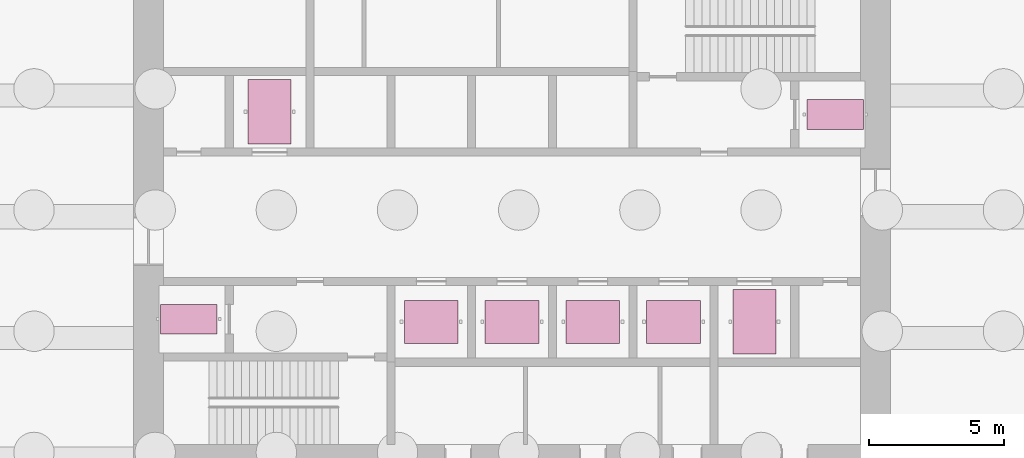
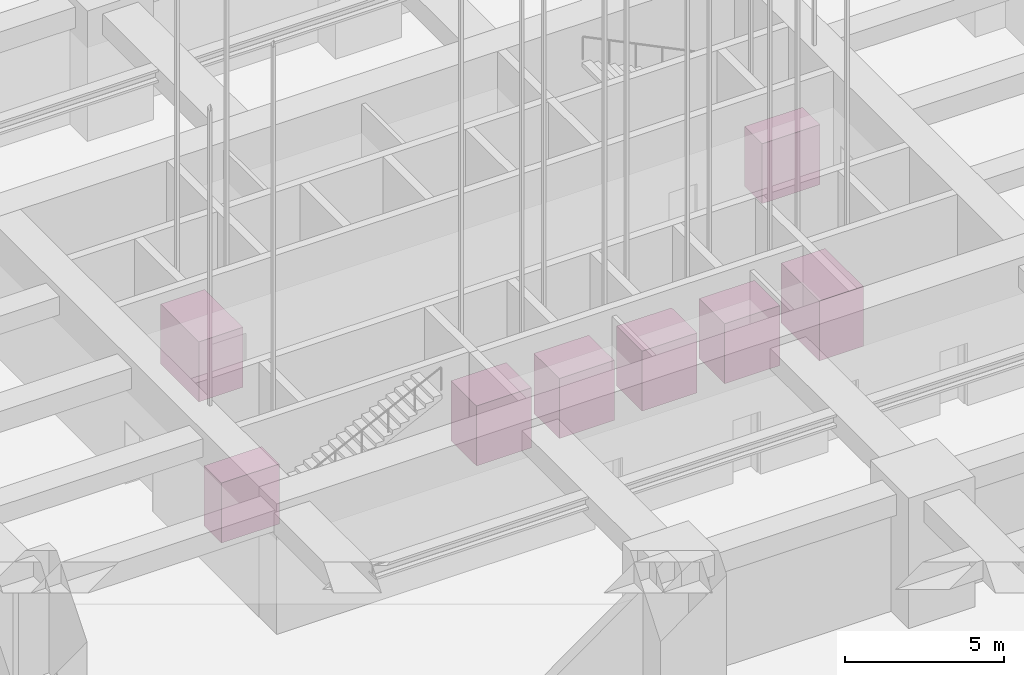
# One storey, part 8 of 24: 8 transport elements.
"""IFC4 building model written with IfcOpenShell, lengths in metres."""

from ifc_helpers import new_model, si_unit, direction, frame, origin, origin_2d, place, context, subcontext, project, spatial, rectangle, extrude, material, type_object, element, save


model = new_model("IFC4")

# Units and contexts
model_context = context("Model", 3, precision=1e-05, world=origin(), true_north=direction((0.0, 1.0)))
body_context = subcontext(model_context, "Body", "Model", "MODEL_VIEW")
ifc_project = project(units=[si_unit("LENGTHUNIT", "METRE"), si_unit("AREAUNIT", "SQUARE_METRE"), si_unit("VOLUMEUNIT", "CUBIC_METRE"), si_unit("PLANEANGLEUNIT", "RADIAN"), si_unit("MASSUNIT", "GRAM", prefix="KILO")], contexts=[model_context])

# Site, building, storey
site_placement = place(None, origin())
site = spatial("IfcSite", under=ifc_project, at=site_placement, CompositionType="ELEMENT")
building_placement = place(site_placement, origin())
building = spatial("IfcBuilding", under=site, at=building_placement, Name="Zorevar Civic Tower", CompositionType="ELEMENT")
storey_placement = place(building_placement, frame((0.0, 0.0, -5.0)))
storey = spatial("IfcBuildingStorey", under=building, at=storey_placement, Name="B1", CompositionType="ELEMENT", Elevation=-5.0)

# Transport elements
ifc_material_1 = material(Name="Lift car")
transport_element_type_1 = type_object("IfcTransportElementType", Name="Firefighting lift 1100x2100", PredefinedType="ELEVATOR", material=ifc_material_1)
for number, where, z_axis, x_axis, name in (
    (1, (19.5, 23.199951171875, 0.0), (0.0, 0.0, 1.0), (1.0, 0.0, 0.0), "Firefighting lift FL1"),
    (2, (43.5, 30.800048828125, 0.0), (0.0, 0.0, 1.0), (1.0, 0.0, 0.0), "Firefighting lift FL2"),
):
    element("IfcTransportElement", number, at=place(storey_placement, frame(where, z_axis=z_axis, x_axis=x_axis)), inside=storey, type_object=transport_element_type_1, Name=name, PredefinedType="ELEVATOR", context=body_context, shape_type="SweptSolid", body=[
        extrude(rectangle(XDim=2.10009765625, YDim=1.10009765625, at=origin_2d()), origin(), (0.0, 0.0, 1.0), 2.300048828125),
    ])
ifc_material_2 = material(Name="Lift car")
transport_element_type_2 = type_object("IfcTransportElementType", Name="Passenger lift 2000x1600", PredefinedType="ELEVATOR", material=ifc_material_2)
for number, where, z_axis, x_axis, name in (
    (3, (28.5, 23.10009765625, 0.0), (0.0, 0.0, 1.0), (1.0, 0.0, 0.0), "Passenger lift LP1"),
    (4, (31.5, 23.10009765625, 0.0), (0.0, 0.0, 1.0), (1.0, 0.0, 0.0), "Passenger lift LP2"),
    (5, (34.5, 23.10009765625, 0.0), (0.0, 0.0, 1.0), (1.0, 0.0, 0.0), "Passenger lift LP3"),
    (6, (37.5, 23.10009765625, 0.0), (0.0, 0.0, 1.0), (1.0, 0.0, 0.0), "Passenger lift LP4"),
):
    element("IfcTransportElement", number, at=place(storey_placement, frame(where, z_axis=z_axis, x_axis=x_axis)), inside=storey, type_object=transport_element_type_2, Name=name, PredefinedType="ELEVATOR", context=body_context, shape_type="SweptSolid", body=[
        extrude(rectangle(XDim=2.0, YDim=1.60009765625, at=origin_2d()), origin(), (0.0, 0.0, 1.0), 2.300048828125),
    ])
ifc_material_3 = material(Name="Lift car")
transport_element_type_3 = type_object("IfcTransportElementType", Name="Service lift 1600x2400", PredefinedType="ELEVATOR", material=ifc_material_3)
for number, where, z_axis, x_axis, name in (
    (7, (40.5, 23.10009765625, 0.0), (0.0, 0.0, 1.0), (1.0, 0.0, 0.0), "Service lift SL1"),
    (8, (22.5, 30.89990234375, 0.0), (0.0, 0.0, 1.0), (1.0, 0.0, 0.0), "Service lift SL2"),
):
    element("IfcTransportElement", number, at=place(storey_placement, frame(where, z_axis=z_axis, x_axis=x_axis)), inside=storey, type_object=transport_element_type_3, Name=name, PredefinedType="ELEVATOR", context=body_context, shape_type="SweptSolid", body=[
        extrude(rectangle(XDim=1.60009765625, YDim=2.39990234375, at=origin_2d()), origin(), (0.0, 0.0, 1.0), 2.300048828125),
    ])

save(model, "model.ifc")
